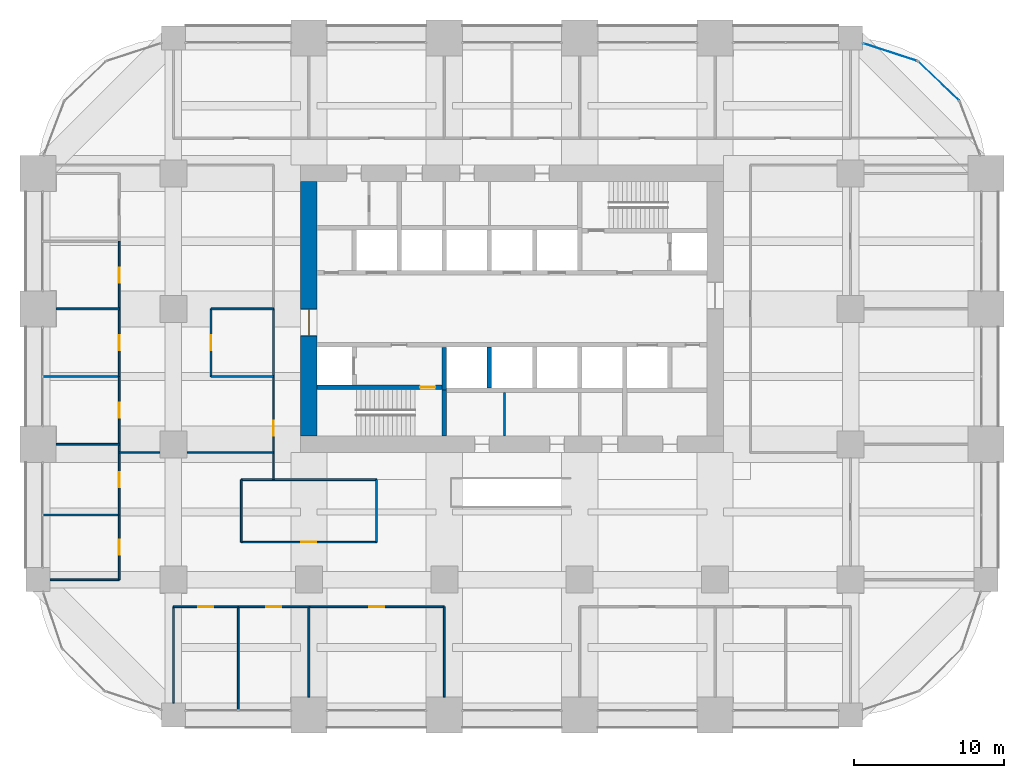
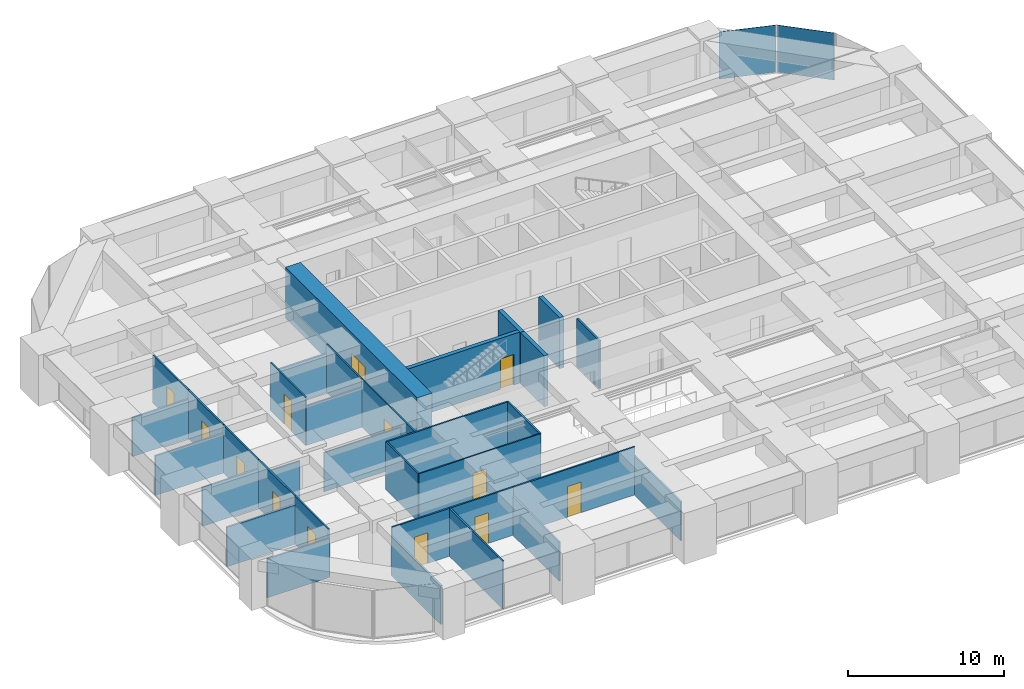
# One storey, part 38 of 43: 34 walls, 13 doors, 2 plates, 13 openings, 2 elements without a shape of their own.
"""IFC4 building model written with IfcOpenShell, lengths in metres."""

from ifc_helpers import new_model, si_unit, direction, frame, frame_2d, origin, origin_2d, place, context, subcontext, project, spatial, rectangle, extrude, material, layer, layer_set, type_object, element, fill, aggregate, save


model = new_model("IFC4")

# Units and contexts
model_context = context("Model", 3, precision=1e-05, world=origin(), true_north=direction((0.0, 1.0)))
body_context = subcontext(model_context, "Body", "Model", "MODEL_VIEW")
ifc_project = project(units=[si_unit("LENGTHUNIT", "METRE"), si_unit("AREAUNIT", "SQUARE_METRE"), si_unit("VOLUMEUNIT", "CUBIC_METRE"), si_unit("PLANEANGLEUNIT", "RADIAN"), si_unit("MASSUNIT", "GRAM", prefix="KILO")], contexts=[model_context])

# Site, building, storey
site_placement = place(None, origin())
site = spatial("IfcSite", under=ifc_project, at=site_placement, CompositionType="ELEMENT")
building_placement = place(site_placement, origin())
building = spatial("IfcBuilding", under=site, at=building_placement, Name="Zorevar Civic Tower", CompositionType="ELEMENT")
storey_placement = place(building_placement, frame((0.0, 0.0, 141.0)))
storey = spatial("IfcBuildingStorey", under=building, at=storey_placement, Name="L34", CompositionType="ELEMENT", Elevation=141.0)

# Curtain wall, plate
ifc_material_1 = material(Name="Dark grey solar-control glass in black aluminium frame", Category="aluminium")
curtain_wall_type = type_object("IfcCurtainWallType", Name="Curtain wall CW3 mid zone", PredefinedType="NOTDEFINED", material=ifc_material_1)
curtain_wall_1_placement = place(storey_placement, origin())
curtain_wall_1 = element("IfcCurtainWall", 1, at=curtain_wall_1_placement, inside=storey, type_object=curtain_wall_type, Name="CW3 L34", PredefinedType="NOTDEFINED")
ifc_material_2 = material(Name="Dark grey solar-control glass", Category="glass")
ifc_layer_1 = layer(ifc_material_2, 0.030029296875)
ifc_layer_set_1 = layer_set([ifc_layer_1], Name="CW3 panel 30")
plate_type = type_object("IfcPlateType", Name="CW3 panel 30", PredefinedType="CURTAIN_PANEL", material=ifc_layer_set_1)
plate_1_placement = place(storey_placement, frame((59.8583984375, 42.13623046875, 0.06005859375), z_axis=(0.0, 0.0, 1.0), x_axis=(-0.723289117983, 0.690545329292, 0.0)))
plate_1 = element("IfcPlate", 2, at=plate_1_placement, type_object=plate_type, Name="CW3 panel 1.1", PredefinedType="CURTAIN_PANEL", context=body_context, shape_type="SweptSolid", body=[
    extrude(rectangle(XDim=3.734619140625, YDim=0.030029296875, at=origin_2d()), origin(), (0.0, 0.0, 1.0), 3.68994140625),
])
aggregate(curtain_wall_1, [plate_1])

curtain_wall_2_placement = place(storey_placement, origin())
curtain_wall_2 = element("IfcCurtainWall", 3, at=curtain_wall_2_placement, inside=storey, type_object=curtain_wall_type, Name="CW3 L34", PredefinedType="NOTDEFINED")
plate_2_placement = place(storey_placement, frame((56.63232421875, 44.065185546875, 0.06005859375), z_axis=(0.0, 0.0, 1.0), x_axis=(-0.950650706548, 0.310263169163, 0.0)))
plate_2 = element("IfcPlate", 4, at=plate_2_placement, type_object=plate_type, Name="CW3 panel 1.1", PredefinedType="CURTAIN_PANEL", context=body_context, shape_type="SweptSolid", body=[
    extrude(rectangle(XDim=3.734619140625, YDim=0.030029296875, at=origin_2d()), origin(), (0.0, 0.0, 1.0), 3.68994140625),
])
aggregate(curtain_wall_2, [plate_2])

# Wall, opening, door
ifc_material_3 = material(Name="Concrete C50/60", Category="concrete")
ifc_layer_2 = layer(ifc_material_3, 1.10009765625)
ifc_layer_set_2 = layer_set([ifc_layer_2], Name="Core wall 1100")
wall_type_1 = type_object("IfcWallType", Name="Core wall 1100", PredefinedType="SHEAR", material=ifc_layer_set_2)
wall_1_placement = place(storey_placement, frame((18.0, 35.449951171875, 0.0), z_axis=(0.0, 0.0, 1.0), x_axis=(0.0, -1.0, 0.0)))
wall_1 = element("IfcWall", 5, at=wall_1_placement, inside=storey, type_object=wall_type_1, Name="Core wall W L34", PredefinedType="SHEAR", context=body_context, shape_type="SweptSolid", body=[
    extrude(rectangle(XDim=16.89990234375, YDim=1.10009765625, at=frame_2d((8.449951171875, 0.0))), origin(), (0.0, 0.0, 1.0), 4.0),
])
opening_1_placement = place(wall_1_placement, frame((8.449951171875, 0.0, 0.0)))
opening_1 = element("IfcOpeningElement", 6, at=opening_1_placement, cuts=wall_1, Name="Opening L34.01", PredefinedType="OPENING", context=body_context, shape_type="SweptSolid", body=[
    extrude(rectangle(XDim=1.800048828125, YDim=2.39990234375, at=frame_2d((0.89990234375, 1.199951171875))), frame((0.0, 0.56005859375, 0.0), z_axis=(0.0, -1.0, 0.0), x_axis=(1.0, 0.0, 0.0)), (0.0, 0.0, 1.0), 1.1201171875),
])
ifc_material_4 = material(Name="Steel door set", Category="steel")
door_type_1 = type_object("IfcDoorType", Name="Fire door FD2 1800x2400", OperationType="DOUBLE_DOOR_DOUBLE_SWING", PredefinedType="DOOR", material=ifc_material_4)
door_1_placement = place(opening_1_placement, origin())
door_1 = element("IfcDoor", 7, at=door_1_placement, inside=storey, type_object=door_type_1, Name="Door L34 00", OperationType="DOUBLE_DOOR_DOUBLE_SWING", OverallHeight=2.39990234375, OverallWidth=1.800048828125, PredefinedType="DOOR", context=body_context, shape_type="SweptSolid", body=[
    extrude(rectangle(XDim=1.800048828125, YDim=2.39990234375, at=frame_2d((0.89990234375, 1.199951171875))), frame((0.0, 0.030029296875, 0.0), z_axis=(0.0, -1.0, 0.0), x_axis=(1.0, 0.0, 0.0)), (0.0, 0.0, 1.0), 0.06005859375),
    extrude(rectangle(XDim=0.04, YDim=2.39990234375, at=frame_2d((0.02001953125, 1.199951171875))), frame((0.0, 0.5498046875, 0.0), z_axis=(0.0, -1.0, 0.0), x_axis=(1.0, 0.0, 0.0)), (0.0, 0.0, 1.0), 1.099609375),
    extrude(rectangle(XDim=0.04, YDim=2.39990234375, at=frame_2d((1.780029296875, 1.199951171875))), frame((0.0, 0.5498046875, 0.0), z_axis=(0.0, -1.0, 0.0), x_axis=(1.0, 0.0, 0.0)), (0.0, 0.0, 1.0), 1.099609375),
    extrude(rectangle(XDim=1.800048828125, YDim=0.04, at=frame_2d((0.89990234375, 2.3798828125))), frame((0.0, 0.5498046875, 0.0), z_axis=(0.0, -1.0, 0.0), x_axis=(1.0, 0.0, 0.0)), (0.0, 0.0, 1.0), 1.099609375),
])
fill(opening_1, door_1)

ifc_material_5 = material(Name="Laminated glass in black aluminium frame", Category="aluminium")
ifc_layer_3 = layer(ifc_material_5, 0.10009765625)
ifc_layer_set_3 = layer_set([ifc_layer_3], Name="Glazed partition 100")
wall_type_2 = type_object("IfcWallType", Name="Glazed partition 100", PredefinedType="PARTITIONING", material=ifc_layer_set_3)
wall_2_placement = place(storey_placement, frame((13.5, 11.5, 0.0), z_axis=(0.0, 0.0, 1.0), x_axis=(1.0, 0.0, 0.0)))
wall_2 = element("IfcWall", 8, at=wall_2_placement, inside=storey, type_object=wall_type_2, Name="Glazed partition 100 L34", PredefinedType="PARTITIONING", context=body_context, shape_type="SweptSolid", body=[
    extrude(rectangle(XDim=9.0, YDim=0.10009765625, at=frame_2d((4.5, 0.0))), origin(), (0.0, 0.0, 1.0), 3.75),
])
opening_2_placement = place(wall_2_placement, frame((4.0, 0.0, 0.0)))
opening_2 = element("IfcOpeningElement", 9, at=opening_2_placement, cuts=wall_2, Name="Opening L34.23", PredefinedType="OPENING", context=body_context, shape_type="SweptSolid", body=[
    extrude(rectangle(XDim=1.0, YDim=2.39990234375, at=frame_2d((0.5, 1.199951171875))), frame((0.0, 0.06005859375, 0.0), z_axis=(0.0, -1.0, 0.0), x_axis=(1.0, 0.0, 0.0)), (0.0, 0.0, 1.0), 0.1201171875),
])
ifc_material_6 = material(Name="Timber door set", Category="wood")
door_type_2 = type_object("IfcDoorType", Name="Glazed door GD1 1000x2400", OperationType="SINGLE_SWING_LEFT", PredefinedType="DOOR", material=ifc_material_6)
door_2_placement = place(opening_2_placement, origin())
door_2 = element("IfcDoor", 10, at=door_2_placement, inside=storey, type_object=door_type_2, Name="Door L34 D1", OperationType="SINGLE_SWING_LEFT", OverallHeight=2.39990234375, OverallWidth=1.0, PredefinedType="DOOR", context=body_context, shape_type="SweptSolid", body=[
    extrude(rectangle(XDim=1.0, YDim=2.39990234375, at=frame_2d((0.5, 1.199951171875))), frame((0.0, 0.02001953125, 0.0), z_axis=(0.0, -1.0, 0.0), x_axis=(1.0, 0.0, 0.0)), (0.0, 0.0, 1.0), 0.0400390625),
])
fill(opening_2, door_2)

# Walls
wall_3_placement = place(storey_placement, frame((5.389892578125, 17.449951171875, 0.0), z_axis=(0.0, 0.0, 1.0), x_axis=(1.0, 0.0, 0.0)))
element("IfcWall", 11, at=wall_3_placement, inside=storey, type_object=wall_type_2, Name="Glazed partition 100 L34", PredefinedType="PARTITIONING", context=body_context, shape_type="SweptSolid", body=[
    extrude(rectangle(XDim=2.710205078125, YDim=0.10009765625, at=frame_2d((1.35498046875, 0.0))), origin(), (0.0, 0.0, 1.0), 3.050048828125),
])
wall_4_placement = place(storey_placement, frame((9.89990234375, 17.449951171875, 0.0), z_axis=(0.0, 0.0, 1.0), x_axis=(1.0, 0.0, 0.0)))
element("IfcWall", 12, at=wall_4_placement, inside=storey, type_object=wall_type_2, Name="Glazed partition 100 L34", PredefinedType="PARTITIONING", context=body_context, shape_type="SweptSolid", body=[
    extrude(rectangle(XDim=5.75, YDim=0.10009765625, at=frame_2d((2.875, 0.0))), origin(), (0.0, 0.0, 1.0), 3.050048828125),
])

# Wall, opening, door
wall_5_placement = place(storey_placement, frame((15.64990234375, 15.64990234375, 0.0), z_axis=(0.0, 0.0, 1.0), x_axis=(0.0, 1.0, 0.0)))
wall_5 = element("IfcWall", 13, at=wall_5_placement, inside=storey, type_object=wall_type_2, Name="Glazed partition 100 L34", PredefinedType="PARTITIONING", context=body_context, shape_type="SweptSolid", body=[
    extrude(rectangle(XDim=6.85009765625, YDim=0.10009765625, at=frame_2d((3.425048828125, 0.0))), origin(), (0.0, 0.0, 1.0), 3.75),
])
opening_3_placement = place(wall_5_placement, frame((2.925048828125, 0.0, 0.0)))
opening_3 = element("IfcOpeningElement", 14, at=opening_3_placement, cuts=wall_5, Name="Opening L34.38", PredefinedType="OPENING", context=body_context, shape_type="SweptSolid", body=[
    extrude(rectangle(XDim=1.0, YDim=2.39990234375, at=frame_2d((0.5, 1.199951171875))), frame((0.0, 0.06005859375, 0.0), z_axis=(0.0, -1.0, 0.0), x_axis=(1.0, 0.0, 0.0)), (0.0, 0.0, 1.0), 0.1201171875),
])
door_3_placement = place(opening_3_placement, origin())
door_3 = element("IfcDoor", 15, at=door_3_placement, inside=storey, type_object=door_type_2, Name="Door L34 D1", OperationType="SINGLE_SWING_RIGHT", OverallHeight=2.39990234375, OverallWidth=1.0, PredefinedType="DOOR", context=body_context, shape_type="SweptSolid", body=[
    extrude(rectangle(XDim=1.0, YDim=2.39990234375, at=frame_2d((0.5, 1.199951171875))), frame((0.0, 0.02001953125, 0.0), z_axis=(0.0, -1.0, 0.0), x_axis=(1.0, 0.0, 0.0)), (0.0, 0.0, 1.0), 0.0400390625),
])
fill(opening_3, door_3)

ifc_material_7 = material(Name="Concrete C40/50", Category="concrete")
ifc_layer_4 = layer(ifc_material_7, 0.300048828125)
ifc_layer_set_4 = layer_set([ifc_layer_4], Name="Inner core wall 300")
wall_type_3 = type_object("IfcWallType", Name="Inner core wall 300", PredefinedType="SHEAR", material=ifc_layer_set_4)
wall_6_placement = place(storey_placement, frame((18.550048828125, 21.800048828125, 0.0), z_axis=(0.0, 0.0, 1.0), x_axis=(1.0, 0.0, 0.0)))
wall_6 = element("IfcWall", 16, at=wall_6_placement, inside=storey, type_object=wall_type_3, Name="Inner core wall S00 L34", PredefinedType="SHEAR", context=body_context, shape_type="SweptSolid", body=[
    extrude(rectangle(XDim=8.300048828125, YDim=0.300048828125, at=frame_2d((4.14990234375, 0.0))), origin(), (0.0, 0.0, 1.0), 4.0),
])
opening_4_placement = place(wall_6_placement, frame((6.85009765625, 0.0, 0.0)))
opening_4 = element("IfcOpeningElement", 17, at=opening_4_placement, cuts=wall_6, Name="Opening L34.11", PredefinedType="OPENING", context=body_context, shape_type="SweptSolid", body=[
    extrude(rectangle(XDim=1.0, YDim=2.39990234375, at=frame_2d((0.5, 1.199951171875))), frame((0.0, 0.159912109375, 0.0), z_axis=(0.0, -1.0, 0.0), x_axis=(1.0, 0.0, 0.0)), (0.0, 0.0, 1.0), 0.320068359375),
])
ifc_material_8 = material(Name="Steel door set", Category="steel")
door_type_3 = type_object("IfcDoorType", Name="Fire door FD1 1000x2400", OperationType="SINGLE_SWING_LEFT", PredefinedType="DOOR", material=ifc_material_8)
door_4_placement = place(opening_4_placement, origin())
door_4 = element("IfcDoor", 18, at=door_4_placement, inside=storey, type_object=door_type_3, Name="Door L34 10", OperationType="SINGLE_SWING_RIGHT", OverallHeight=2.39990234375, OverallWidth=1.0, PredefinedType="DOOR", context=body_context, shape_type="SweptSolid", body=[
    extrude(rectangle(XDim=1.0, YDim=2.39990234375, at=frame_2d((0.5, 1.199951171875))), frame((0.0, 0.030029296875, 0.0), z_axis=(0.0, -1.0, 0.0), x_axis=(1.0, 0.0, 0.0)), (0.0, 0.0, 1.0), 0.06005859375),
])
fill(opening_4, door_4)

# Walls
wall_7_placement = place(storey_placement, frame((27.0, 18.550048828125, 0.0), z_axis=(0.0, 0.0, 1.0), x_axis=(0.0, 1.0, 0.0)))
element("IfcWall", 19, at=wall_7_placement, inside=storey, type_object=wall_type_3, Name="Inner core wall S01 L34", PredefinedType="SHEAR", context=body_context, shape_type="SweptSolid", body=[
    extrude(rectangle(XDim=3.050048828125, YDim=0.300048828125, at=frame_2d((1.52490234375, 0.0))), origin(), (0.0, 0.0, 1.0), 4.0),
])
wall_8_placement = place(storey_placement, frame((30.0, 21.75, 0.0), z_axis=(0.0, 0.0, 1.0), x_axis=(0.0, 1.0, 0.0)))
element("IfcWall", 20, at=wall_8_placement, inside=storey, type_object=wall_type_3, Name="Inner core wall S05 L34", PredefinedType="SHEAR", context=body_context, shape_type="SweptSolid", body=[
    extrude(rectangle(XDim=2.699951171875, YDim=0.300048828125, at=frame_2d((1.35009765625, 0.0))), origin(), (0.0, 0.0, 1.0), 4.0),
])
wall_9_placement = place(storey_placement, frame((27.0, 21.60009765625, 0.0), z_axis=(0.0, 0.0, 1.0), x_axis=(0.0, 1.0, 0.0)))
element("IfcWall", 21, at=wall_9_placement, inside=storey, type_object=wall_type_3, Name="Inner core wall S10 L34", PredefinedType="SHEAR", context=body_context, shape_type="SweptSolid", body=[
    extrude(rectangle(XDim=2.849853515625, YDim=0.300048828125, at=frame_2d((1.4248046875, 0.0))), origin(), (0.0, 0.0, 1.0), 4.0),
])

# Wall, opening, door
ifc_material_9 = material(Name="Gypsum board on steel studs", Category="steel")
ifc_layer_5 = layer(ifc_material_9, 0.1201171875)
ifc_layer_set_5 = layer_set([ifc_layer_5], Name="Partition 120")
wall_type_4 = type_object("IfcWallType", Name="Partition 120", PredefinedType="PARTITIONING", material=ifc_layer_set_5)
wall_10_placement = place(storey_placement, frame((9.0, 7.199951171875, 0.0), z_axis=(0.0, 0.0, 1.0), x_axis=(1.0, 0.0, 0.0)))
wall_10 = element("IfcWall", 22, at=wall_10_placement, inside=storey, type_object=wall_type_4, Name="Partition 120 L34", PredefinedType="PARTITIONING", context=body_context, shape_type="SweptSolid", body=[
    extrude(rectangle(XDim=4.300048828125, YDim=0.1201171875, at=frame_2d((2.14990234375, 0.0))), origin(), (0.0, 0.0, 1.0), 3.75),
])
opening_5_placement = place(wall_10_placement, frame((1.64990234375, 0.0, 0.0)))
opening_5 = element("IfcOpeningElement", 23, at=opening_5_placement, cuts=wall_10, Name="Opening L34.17", PredefinedType="OPENING", context=body_context, shape_type="SweptSolid", body=[
    extrude(rectangle(XDim=1.0, YDim=2.39990234375, at=frame_2d((0.5, 1.199951171875))), frame((0.0, 0.070068359375, 0.0), z_axis=(0.0, -1.0, 0.0), x_axis=(1.0, 0.0, 0.0)), (0.0, 0.0, 1.0), 0.14013671875),
])
ifc_material_10 = material(Name="Timber door set", Category="wood")
door_type_4 = type_object("IfcDoorType", Name="Door D1 1000x2400", OperationType="SINGLE_SWING_LEFT", PredefinedType="DOOR", material=ifc_material_10)
door_5_placement = place(opening_5_placement, origin())
door_5 = element("IfcDoor", 24, at=door_5_placement, inside=storey, type_object=door_type_4, Name="Door L34 D1", OperationType="SINGLE_SWING_RIGHT", OverallHeight=2.39990234375, OverallWidth=1.0, PredefinedType="DOOR", context=body_context, shape_type="SweptSolid", body=[
    extrude(rectangle(XDim=1.0, YDim=2.39990234375, at=frame_2d((0.5, 1.199951171875))), frame((0.0, 0.02490234375, 0.0), z_axis=(0.0, -1.0, 0.0), x_axis=(1.0, 0.0, 0.0)), (0.0, 0.0, 1.0), 0.050048828125),
])
fill(opening_5, door_5)

wall_11_placement = place(storey_placement, frame((13.300048828125, 7.199951171875, 0.0), z_axis=(0.0, 0.0, 1.0), x_axis=(1.0, 0.0, 0.0)))
wall_11 = element("IfcWall", 25, at=wall_11_placement, inside=storey, type_object=wall_type_4, Name="Partition 120 L34", PredefinedType="PARTITIONING", context=body_context, shape_type="SweptSolid", body=[
    extrude(rectangle(XDim=4.699951171875, YDim=0.1201171875, at=frame_2d((2.35009765625, 0.0))), origin(), (0.0, 0.0, 1.0), 3.75),
])
opening_6_placement = place(wall_11_placement, frame((1.85009765625, 0.0, 0.0)))
opening_6 = element("IfcOpeningElement", 26, at=opening_6_placement, cuts=wall_11, Name="Opening L34.18", PredefinedType="OPENING", context=body_context, shape_type="SweptSolid", body=[
    extrude(rectangle(XDim=1.0, YDim=2.39990234375, at=frame_2d((0.5, 1.199951171875))), frame((0.0, 0.070068359375, 0.0), z_axis=(0.0, -1.0, 0.0), x_axis=(1.0, 0.0, 0.0)), (0.0, 0.0, 1.0), 0.14013671875),
])
door_6_placement = place(opening_6_placement, origin())
door_6 = element("IfcDoor", 27, at=door_6_placement, inside=storey, type_object=door_type_4, Name="Door L34 D1", OperationType="SINGLE_SWING_RIGHT", OverallHeight=2.39990234375, OverallWidth=1.0, PredefinedType="DOOR", context=body_context, shape_type="SweptSolid", body=[
    extrude(rectangle(XDim=1.0, YDim=2.39990234375, at=frame_2d((0.5, 1.199951171875))), frame((0.0, 0.02490234375, 0.0), z_axis=(0.0, -1.0, 0.0), x_axis=(1.0, 0.0, 0.0)), (0.0, 0.0, 1.0), 0.050048828125),
])
fill(opening_6, door_6)

wall_12_placement = place(storey_placement, frame((18.0, 7.199951171875, 0.0), z_axis=(0.0, 0.0, 1.0), x_axis=(1.0, 0.0, 0.0)))
wall_12 = element("IfcWall", 28, at=wall_12_placement, inside=storey, type_object=wall_type_4, Name="Partition 120 L34", PredefinedType="PARTITIONING", context=body_context, shape_type="SweptSolid", body=[
    extrude(rectangle(XDim=9.0, YDim=0.1201171875, at=frame_2d((4.5, 0.0))), origin(), (0.0, 0.0, 1.0), 3.75),
])
opening_7_placement = place(wall_12_placement, frame((4.0, 0.0, 0.0)))
opening_7 = element("IfcOpeningElement", 29, at=opening_7_placement, cuts=wall_12, Name="Opening L34.19", PredefinedType="OPENING", context=body_context, shape_type="SweptSolid", body=[
    extrude(rectangle(XDim=1.0, YDim=2.39990234375, at=frame_2d((0.5, 1.199951171875))), frame((0.0, 0.070068359375, 0.0), z_axis=(0.0, -1.0, 0.0), x_axis=(1.0, 0.0, 0.0)), (0.0, 0.0, 1.0), 0.14013671875),
])
door_7_placement = place(opening_7_placement, origin())
door_7 = element("IfcDoor", 30, at=door_7_placement, inside=storey, type_object=door_type_4, Name="Door L34 D1", OperationType="SINGLE_SWING_RIGHT", OverallHeight=2.39990234375, OverallWidth=1.0, PredefinedType="DOOR", context=body_context, shape_type="SweptSolid", body=[
    extrude(rectangle(XDim=1.0, YDim=2.39990234375, at=frame_2d((0.5, 1.199951171875))), frame((0.0, 0.02490234375, 0.0), z_axis=(0.0, -1.0, 0.0), x_axis=(1.0, 0.0, 0.0)), (0.0, 0.0, 1.0), 0.050048828125),
])
fill(opening_7, door_7)

# Walls
wall_13_placement = place(storey_placement, frame((0.800048828125, 9.0, 0.0), z_axis=(0.0, 0.0, 1.0), x_axis=(1.0, 0.0, 0.0)))
element("IfcWall", 31, at=wall_13_placement, inside=storey, type_object=wall_type_4, Name="Partition 120 L34", PredefinedType="PARTITIONING", context=body_context, shape_type="SweptSolid", body=[
    extrude(rectangle(XDim=4.599853515625, YDim=0.1201171875, at=frame_2d((2.2998046875, 0.0))), origin(), (0.0, 0.0, 1.0), 3.050048828125),
])
wall_14_placement = place(storey_placement, frame((0.31005859375, 13.300048828125, 0.0), z_axis=(0.0, 0.0, 1.0), x_axis=(1.0, 0.0, 0.0)))
element("IfcWall", 32, at=wall_14_placement, inside=storey, type_object=wall_type_4, Name="Partition 120 L34", PredefinedType="PARTITIONING", context=body_context, shape_type="SweptSolid", body=[
    extrude(rectangle(XDim=5.08984375, YDim=0.1201171875, at=frame_2d((2.544921875, 0.0))), origin(), (0.0, 0.0, 1.0), 3.10009765625),
])
wall_15_placement = place(storey_placement, frame((13.5, 15.64990234375, 0.0), z_axis=(0.0, 0.0, 1.0), x_axis=(1.0, 0.0, 0.0)))
element("IfcWall", 33, at=wall_15_placement, inside=storey, type_object=wall_type_4, Name="Partition 120 L34", PredefinedType="PARTITIONING", context=body_context, shape_type="SweptSolid", body=[
    extrude(rectangle(XDim=9.0, YDim=0.1201171875, at=frame_2d((4.5, 0.0))), origin(), (0.0, 0.0, 1.0), 3.75),
])
wall_16_placement = place(storey_placement, frame((1.199951171875, 18.0, 0.0), z_axis=(0.0, 0.0, 1.0), x_axis=(1.0, 0.0, 0.0)))
element("IfcWall", 34, at=wall_16_placement, inside=storey, type_object=wall_type_4, Name="Partition 120 L34", PredefinedType="PARTITIONING", context=body_context, shape_type="SweptSolid", body=[
    extrude(rectangle(XDim=4.199951171875, YDim=0.1201171875, at=frame_2d((2.10009765625, 0.0))), origin(), (0.0, 0.0, 1.0), 3.050048828125),
])
wall_17_placement = place(storey_placement, frame((0.31005859375, 22.5, 0.0), z_axis=(0.0, 0.0, 1.0), x_axis=(1.0, 0.0, 0.0)))
element("IfcWall", 35, at=wall_17_placement, inside=storey, type_object=wall_type_4, Name="Partition 120 L34", PredefinedType="PARTITIONING", context=body_context, shape_type="SweptSolid", body=[
    extrude(rectangle(XDim=5.08984375, YDim=0.1201171875, at=frame_2d((2.544921875, 0.0))), origin(), (0.0, 0.0, 1.0), 3.10009765625),
])
wall_18_placement = place(storey_placement, frame((11.5, 22.5, 0.0), z_axis=(0.0, 0.0, 1.0), x_axis=(1.0, 0.0, 0.0)))
element("IfcWall", 36, at=wall_18_placement, inside=storey, type_object=wall_type_4, Name="Partition 120 L34", PredefinedType="PARTITIONING", context=body_context, shape_type="SweptSolid", body=[
    extrude(rectangle(XDim=4.14990234375, YDim=0.1201171875, at=frame_2d((2.074951171875, 0.0))), origin(), (0.0, 0.0, 1.0), 3.10009765625),
])
wall_19_placement = place(storey_placement, frame((1.199951171875, 27.0, 0.0), z_axis=(0.0, 0.0, 1.0), x_axis=(1.0, 0.0, 0.0)))
element("IfcWall", 37, at=wall_19_placement, inside=storey, type_object=wall_type_4, Name="Partition 120 L34", PredefinedType="PARTITIONING", context=body_context, shape_type="SweptSolid", body=[
    extrude(rectangle(XDim=4.199951171875, YDim=0.1201171875, at=frame_2d((2.10009765625, 0.0))), origin(), (0.0, 0.0, 1.0), 3.050048828125),
])
wall_20_placement = place(storey_placement, frame((11.5, 27.0, 0.0), z_axis=(0.0, 0.0, 1.0), x_axis=(1.0, 0.0, 0.0)))
element("IfcWall", 38, at=wall_20_placement, inside=storey, type_object=wall_type_4, Name="Partition 120 L34", PredefinedType="PARTITIONING", context=body_context, shape_type="SweptSolid", body=[
    extrude(rectangle(XDim=4.14990234375, YDim=0.1201171875, at=frame_2d((2.074951171875, 0.0))), origin(), (0.0, 0.0, 1.0), 3.050048828125),
])

# Wall, opening, door
wall_21_placement = place(storey_placement, frame((5.39990234375, 9.0, 0.0), z_axis=(0.0, 0.0, 1.0), x_axis=(0.0, 1.0, 0.0)))
wall_21 = element("IfcWall", 39, at=wall_21_placement, inside=storey, type_object=wall_type_4, Name="Partition 120 L34", PredefinedType="PARTITIONING", context=body_context, shape_type="SweptSolid", body=[
    extrude(rectangle(XDim=4.300048828125, YDim=0.1201171875, at=frame_2d((2.14990234375, 0.0))), origin(), (0.0, 0.0, 1.0), 3.75),
])
opening_8_placement = place(wall_21_placement, frame((1.64990234375, 0.0, 0.0)))
opening_8 = element("IfcOpeningElement", 40, at=opening_8_placement, cuts=wall_21, Name="Opening L34.31", PredefinedType="OPENING", context=body_context, shape_type="SweptSolid", body=[
    extrude(rectangle(XDim=1.0, YDim=2.39990234375, at=frame_2d((0.5, 1.199951171875))), frame((0.0, 0.070068359375, 0.0), z_axis=(0.0, -1.0, 0.0), x_axis=(1.0, 0.0, 0.0)), (0.0, 0.0, 1.0), 0.14013671875),
])
door_8_placement = place(opening_8_placement, origin())
door_8 = element("IfcDoor", 41, at=door_8_placement, inside=storey, type_object=door_type_4, Name="Door L34 D1", OperationType="SINGLE_SWING_RIGHT", OverallHeight=2.39990234375, OverallWidth=1.0, PredefinedType="DOOR", context=body_context, shape_type="SweptSolid", body=[
    extrude(rectangle(XDim=1.0, YDim=2.39990234375, at=frame_2d((0.5, 1.199951171875))), frame((0.0, 0.02490234375, 0.0), z_axis=(0.0, -1.0, 0.0), x_axis=(1.0, 0.0, 0.0)), (0.0, 0.0, 1.0), 0.050048828125),
])
fill(opening_8, door_8)

wall_22_placement = place(storey_placement, frame((5.39990234375, 13.300048828125, 0.0), z_axis=(0.0, 0.0, 1.0), x_axis=(0.0, 1.0, 0.0)))
wall_22 = element("IfcWall", 42, at=wall_22_placement, inside=storey, type_object=wall_type_4, Name="Partition 120 L34", PredefinedType="PARTITIONING", context=body_context, shape_type="SweptSolid", body=[
    extrude(rectangle(XDim=4.699951171875, YDim=0.1201171875, at=frame_2d((2.35009765625, 0.0))), origin(), (0.0, 0.0, 1.0), 3.75),
])
opening_9_placement = place(wall_22_placement, frame((1.85009765625, 0.0, 0.0)))
opening_9 = element("IfcOpeningElement", 43, at=opening_9_placement, cuts=wall_22, Name="Opening L34.32", PredefinedType="OPENING", context=body_context, shape_type="SweptSolid", body=[
    extrude(rectangle(XDim=1.0, YDim=2.39990234375, at=frame_2d((0.5, 1.199951171875))), frame((0.0, 0.070068359375, 0.0), z_axis=(0.0, -1.0, 0.0), x_axis=(1.0, 0.0, 0.0)), (0.0, 0.0, 1.0), 0.14013671875),
])
door_9_placement = place(opening_9_placement, origin())
door_9 = element("IfcDoor", 44, at=door_9_placement, inside=storey, type_object=door_type_4, Name="Door L34 D1", OperationType="SINGLE_SWING_RIGHT", OverallHeight=2.39990234375, OverallWidth=1.0, PredefinedType="DOOR", context=body_context, shape_type="SweptSolid", body=[
    extrude(rectangle(XDim=1.0, YDim=2.39990234375, at=frame_2d((0.5, 1.199951171875))), frame((0.0, 0.02490234375, 0.0), z_axis=(0.0, -1.0, 0.0), x_axis=(1.0, 0.0, 0.0)), (0.0, 0.0, 1.0), 0.050048828125),
])
fill(opening_9, door_9)

wall_23_placement = place(storey_placement, frame((5.39990234375, 18.0, 0.0), z_axis=(0.0, 0.0, 1.0), x_axis=(0.0, 1.0, 0.0)))
wall_23 = element("IfcWall", 45, at=wall_23_placement, inside=storey, type_object=wall_type_4, Name="Partition 120 L34", PredefinedType="PARTITIONING", context=body_context, shape_type="SweptSolid", body=[
    extrude(rectangle(XDim=4.5, YDim=0.1201171875, at=frame_2d((2.25, 0.0))), origin(), (0.0, 0.0, 1.0), 3.75),
])
opening_10_placement = place(wall_23_placement, frame((1.75, 0.0, 0.0)))
opening_10 = element("IfcOpeningElement", 46, at=opening_10_placement, cuts=wall_23, Name="Opening L34.33", PredefinedType="OPENING", context=body_context, shape_type="SweptSolid", body=[
    extrude(rectangle(XDim=1.0, YDim=2.39990234375, at=frame_2d((0.5, 1.199951171875))), frame((0.0, 0.070068359375, 0.0), z_axis=(0.0, -1.0, 0.0), x_axis=(1.0, 0.0, 0.0)), (0.0, 0.0, 1.0), 0.14013671875),
])
door_10_placement = place(opening_10_placement, origin())
door_10 = element("IfcDoor", 47, at=door_10_placement, inside=storey, type_object=door_type_4, Name="Door L34 D1", OperationType="SINGLE_SWING_LEFT", OverallHeight=2.39990234375, OverallWidth=1.0, PredefinedType="DOOR", context=body_context, shape_type="SweptSolid", body=[
    extrude(rectangle(XDim=1.0, YDim=2.39990234375, at=frame_2d((0.5, 1.199951171875))), frame((0.0, 0.02490234375, 0.0), z_axis=(0.0, -1.0, 0.0), x_axis=(1.0, 0.0, 0.0)), (0.0, 0.0, 1.0), 0.050048828125),
])
fill(opening_10, door_10)

wall_24_placement = place(storey_placement, frame((5.39990234375, 22.5, 0.0), z_axis=(0.0, 0.0, 1.0), x_axis=(0.0, 1.0, 0.0)))
wall_24 = element("IfcWall", 48, at=wall_24_placement, inside=storey, type_object=wall_type_4, Name="Partition 120 L34", PredefinedType="PARTITIONING", context=body_context, shape_type="SweptSolid", body=[
    extrude(rectangle(XDim=4.5, YDim=0.1201171875, at=frame_2d((2.25, 0.0))), origin(), (0.0, 0.0, 1.0), 3.75),
])
opening_11_placement = place(wall_24_placement, frame((1.75, 0.0, 0.0)))
opening_11 = element("IfcOpeningElement", 49, at=opening_11_placement, cuts=wall_24, Name="Opening L34.34", PredefinedType="OPENING", context=body_context, shape_type="SweptSolid", body=[
    extrude(rectangle(XDim=1.0, YDim=2.39990234375, at=frame_2d((0.5, 1.199951171875))), frame((0.0, 0.070068359375, 0.0), z_axis=(0.0, -1.0, 0.0), x_axis=(1.0, 0.0, 0.0)), (0.0, 0.0, 1.0), 0.14013671875),
])
door_11_placement = place(opening_11_placement, origin())
door_11 = element("IfcDoor", 50, at=door_11_placement, inside=storey, type_object=door_type_4, Name="Door L34 D1", OperationType="SINGLE_SWING_LEFT", OverallHeight=2.39990234375, OverallWidth=1.0, PredefinedType="DOOR", context=body_context, shape_type="SweptSolid", body=[
    extrude(rectangle(XDim=1.0, YDim=2.39990234375, at=frame_2d((0.5, 1.199951171875))), frame((0.0, 0.02490234375, 0.0), z_axis=(0.0, -1.0, 0.0), x_axis=(1.0, 0.0, 0.0)), (0.0, 0.0, 1.0), 0.050048828125),
])
fill(opening_11, door_11)

wall_25_placement = place(storey_placement, frame((5.39990234375, 27.0, 0.0), z_axis=(0.0, 0.0, 1.0), x_axis=(0.0, 1.0, 0.0)))
wall_25 = element("IfcWall", 51, at=wall_25_placement, inside=storey, type_object=wall_type_4, Name="Partition 120 L34", PredefinedType="PARTITIONING", context=body_context, shape_type="SweptSolid", body=[
    extrude(rectangle(XDim=4.5, YDim=0.1201171875, at=frame_2d((2.25, 0.0))), origin(), (0.0, 0.0, 1.0), 3.75),
])
opening_12_placement = place(wall_25_placement, frame((1.75, 0.0, 0.0)))
opening_12 = element("IfcOpeningElement", 52, at=opening_12_placement, cuts=wall_25, Name="Opening L34.35", PredefinedType="OPENING", context=body_context, shape_type="SweptSolid", body=[
    extrude(rectangle(XDim=1.0, YDim=2.39990234375, at=frame_2d((0.5, 1.199951171875))), frame((0.0, 0.070068359375, 0.0), z_axis=(0.0, -1.0, 0.0), x_axis=(1.0, 0.0, 0.0)), (0.0, 0.0, 1.0), 0.14013671875),
])
door_12_placement = place(opening_12_placement, origin())
door_12 = element("IfcDoor", 53, at=door_12_placement, inside=storey, type_object=door_type_4, Name="Door L34 D1", OperationType="SINGLE_SWING_RIGHT", OverallHeight=2.39990234375, OverallWidth=1.0, PredefinedType="DOOR", context=body_context, shape_type="SweptSolid", body=[
    extrude(rectangle(XDim=1.0, YDim=2.39990234375, at=frame_2d((0.5, 1.199951171875))), frame((0.0, 0.02490234375, 0.0), z_axis=(0.0, -1.0, 0.0), x_axis=(1.0, 0.0, 0.0)), (0.0, 0.0, 1.0), 0.050048828125),
])
fill(opening_12, door_12)

# Wall
wall_26_placement = place(storey_placement, frame((9.0, 0.800048828125, 0.0), z_axis=(0.0, 0.0, 1.0), x_axis=(0.0, 1.0, 0.0)))
element("IfcWall", 54, at=wall_26_placement, inside=storey, type_object=wall_type_4, Name="Partition 120 L34", PredefinedType="PARTITIONING", context=body_context, shape_type="SweptSolid", body=[
    extrude(rectangle(XDim=6.39990234375, YDim=0.1201171875, at=frame_2d((3.199951171875, 0.0))), origin(), (0.0, 0.0, 1.0), 3.050048828125),
])

# Wall, opening, door
wall_27_placement = place(storey_placement, frame((11.5, 22.5, 0.0), z_axis=(0.0, 0.0, 1.0), x_axis=(0.0, 1.0, 0.0)))
wall_27 = element("IfcWall", 55, at=wall_27_placement, inside=storey, type_object=wall_type_4, Name="Partition 120 L34", PredefinedType="PARTITIONING", context=body_context, shape_type="SweptSolid", body=[
    extrude(rectangle(XDim=4.5, YDim=0.1201171875, at=frame_2d((2.25, 0.0))), origin(), (0.0, 0.0, 1.0), 3.75),
])
opening_13_placement = place(wall_27_placement, frame((1.75, 0.0, 0.0)))
opening_13 = element("IfcOpeningElement", 56, at=opening_13_placement, cuts=wall_27, Name="Opening L34.37", PredefinedType="OPENING", context=body_context, shape_type="SweptSolid", body=[
    extrude(rectangle(XDim=1.0, YDim=2.39990234375, at=frame_2d((0.5, 1.199951171875))), frame((0.0, 0.070068359375, 0.0), z_axis=(0.0, -1.0, 0.0), x_axis=(1.0, 0.0, 0.0)), (0.0, 0.0, 1.0), 0.14013671875),
])
door_13_placement = place(opening_13_placement, origin())
door_13 = element("IfcDoor", 57, at=door_13_placement, inside=storey, type_object=door_type_4, Name="Door L34 D1", OperationType="SINGLE_SWING_RIGHT", OverallHeight=2.39990234375, OverallWidth=1.0, PredefinedType="DOOR", context=body_context, shape_type="SweptSolid", body=[
    extrude(rectangle(XDim=1.0, YDim=2.39990234375, at=frame_2d((0.5, 1.199951171875))), frame((0.0, 0.02490234375, 0.0), z_axis=(0.0, -1.0, 0.0), x_axis=(1.0, 0.0, 0.0)), (0.0, 0.0, 1.0), 0.050048828125),
])
fill(opening_13, door_13)

# Walls
wall_28_placement = place(storey_placement, frame((13.300048828125, 0.31005859375, 0.0), z_axis=(0.0, 0.0, 1.0), x_axis=(0.0, 1.0, 0.0)))
element("IfcWall", 58, at=wall_28_placement, inside=storey, type_object=wall_type_4, Name="Partition 120 L34", PredefinedType="PARTITIONING", context=body_context, shape_type="SweptSolid", body=[
    extrude(rectangle(XDim=6.889892578125, YDim=0.1201171875, at=frame_2d((3.44482421875, 0.0))), origin(), (0.0, 0.0, 1.0), 3.75),
])
wall_29_placement = place(storey_placement, frame((13.5, 11.5, 0.0), z_axis=(0.0, 0.0, 1.0), x_axis=(0.0, 1.0, 0.0)))
element("IfcWall", 59, at=wall_29_placement, inside=storey, type_object=wall_type_4, Name="Partition 120 L34", PredefinedType="PARTITIONING", context=body_context, shape_type="SweptSolid", body=[
    extrude(rectangle(XDim=4.14990234375, YDim=0.1201171875, at=frame_2d((2.074951171875, 0.0))), origin(), (0.0, 0.0, 1.0), 3.75),
])
wall_30_placement = place(storey_placement, frame((15.64990234375, 22.5, 0.0), z_axis=(0.0, 0.0, 1.0), x_axis=(0.0, 1.0, 0.0)))
element("IfcWall", 60, at=wall_30_placement, inside=storey, type_object=wall_type_4, Name="Partition 120 L34", PredefinedType="PARTITIONING", context=body_context, shape_type="SweptSolid", body=[
    extrude(rectangle(XDim=4.5, YDim=0.1201171875, at=frame_2d((2.25, 0.0))), origin(), (0.0, 0.0, 1.0), 3.75),
])
wall_31_placement = place(storey_placement, frame((18.0, 1.199951171875, 0.0), z_axis=(0.0, 0.0, 1.0), x_axis=(0.0, 1.0, 0.0)))
element("IfcWall", 61, at=wall_31_placement, inside=storey, type_object=wall_type_4, Name="Partition 120 L34", PredefinedType="PARTITIONING", context=body_context, shape_type="SweptSolid", body=[
    extrude(rectangle(XDim=6.0, YDim=0.1201171875, at=frame_2d((3.0, 0.0))), origin(), (0.0, 0.0, 1.0), 3.050048828125),
])
wall_32_placement = place(storey_placement, frame((22.5, 11.5, 0.0), z_axis=(0.0, 0.0, 1.0), x_axis=(0.0, 1.0, 0.0)))
element("IfcWall", 62, at=wall_32_placement, inside=storey, type_object=wall_type_4, Name="Partition 120 L34", PredefinedType="PARTITIONING", context=body_context, shape_type="SweptSolid", body=[
    extrude(rectangle(XDim=4.14990234375, YDim=0.1201171875, at=frame_2d((2.074951171875, 0.0))), origin(), (0.0, 0.0, 1.0), 3.75),
])
wall_33_placement = place(storey_placement, frame((27.0, 1.199951171875, 0.0), z_axis=(0.0, 0.0, 1.0), x_axis=(0.0, 1.0, 0.0)))
element("IfcWall", 63, at=wall_33_placement, inside=storey, type_object=wall_type_4, Name="Partition 120 L34", PredefinedType="PARTITIONING", context=body_context, shape_type="SweptSolid", body=[
    extrude(rectangle(XDim=6.0, YDim=0.1201171875, at=frame_2d((3.0, 0.0))), origin(), (0.0, 0.0, 1.0), 3.050048828125),
])
ifc_material_11 = material(Name="Gypsum board on steel studs, moisture resistant", Category="steel")
ifc_layer_6 = layer(ifc_material_11, 0.14990234375)
ifc_layer_set_6 = layer_set([ifc_layer_6], Name="WC partition 150")
wall_type_5 = type_object("IfcWallType", Name="WC partition 150", PredefinedType="PARTITIONING", material=ifc_layer_set_6)
wall_34_placement = place(storey_placement, frame((31.0, 18.550048828125, 0.0), z_axis=(0.0, 0.0, 1.0), x_axis=(0.0, 1.0, 0.0)))
element("IfcWall", 64, at=wall_34_placement, inside=storey, type_object=wall_type_5, Name="WC partition L34", PredefinedType="PARTITIONING", context=body_context, shape_type="SweptSolid", body=[
    extrude(rectangle(XDim=2.89990234375, YDim=0.14990234375, at=frame_2d((1.449951171875, 0.0))), origin(), (0.0, 0.0, 1.0), 3.75),
])

save(model, "model.ifc")
